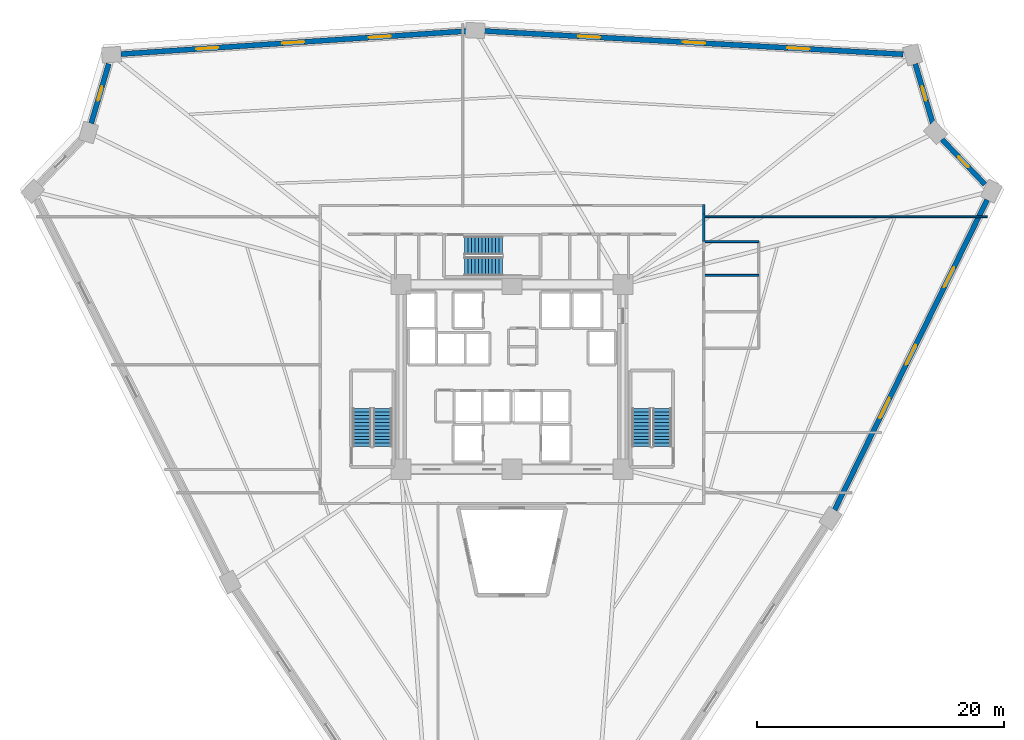
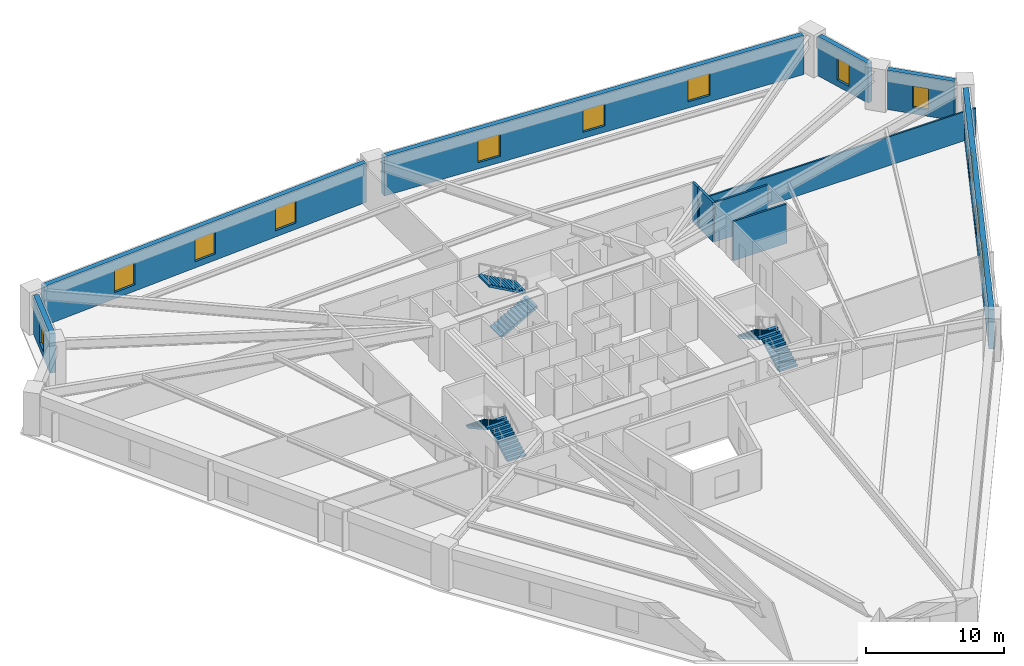
# One storey, part 7 of 8: 12 windows, 11 walls, 6 stair flights, 12 openings, 3 elements without a shape of their own.
"""IFC4 building model written with IfcOpenShell, lengths in metres."""

from ifc_helpers import new_model, si_unit, direction, frame, frame_2d, origin, place, context, subcontext, project, spatial, polyline, rectangle, outline, extrude, source, transform, mapped, material, layer, layer_set, type_object, element, fill, aggregate, save


model = new_model("IFC4")

# Units and contexts
model_context = context("Model", 3, precision=1e-05, world=origin(), true_north=direction((0.0, 1.0)))
body_context = subcontext(model_context, "Body", "Model", "MODEL_VIEW")
ifc_project = project(units=[si_unit("LENGTHUNIT", "METRE"), si_unit("AREAUNIT", "SQUARE_METRE"), si_unit("VOLUMEUNIT", "CUBIC_METRE"), si_unit("PLANEANGLEUNIT", "RADIAN"), si_unit("MASSUNIT", "GRAM", prefix="KILO")], contexts=[model_context])

# Site, building, storey
site_placement = place(None, origin())
site = spatial("IfcSite", under=ifc_project, at=site_placement, CompositionType="ELEMENT")
building_placement = place(site_placement, origin())
building = spatial("IfcBuilding", under=site, at=building_placement, Name="Liaohun Quay Tower", CompositionType="ELEMENT")
storey_placement = place(building_placement, frame((0.0, 0.0, 43.5)))
storey = spatial("IfcBuildingStorey", under=building, at=storey_placement, Name="L11", CompositionType="ELEMENT", Elevation=43.5)

# Wall, openings, windows
ifc_material_1 = material(Name="Precast concrete C50 insulated sandwich", Category="concrete")
ifc_layer_1 = layer(ifc_material_1, 0.419921875, Name="Precast concrete C50 insulated sandwich", Category="concrete")
ifc_layer_set_1 = layer_set([ifc_layer_1], Name="Precast concrete C50 insulated sandwich")
wall_type_1 = type_object("IfcWallType", Name="WAL-EXT-Z12", PredefinedType="SOLIDWALL", material=ifc_layer_set_1)
wall_1_placement = place(storey_placement, frame((86.172119140625, 43.2099609375, 0.0), z_axis=(0.0, 0.0, 1.0), x_axis=(0.441367208162, 0.897326577985, 0.0)))
wall_1 = element("IfcWall", 1, at=wall_1_placement, inside=storey, type_object=wall_type_1, Name="L11 Brutalist Precast Pier Wall 03", PredefinedType="SOLIDWALL", context=body_context, shape_type="SweptSolid", body=[
    extrude(rectangle(XDim=28.057861328125, YDim=0.419921875, at=frame_2d((14.02880859375, 0.0))), origin(), (0.0, 0.0, 1.0), 3.469970703125),
])
shared_shape_1 = source(origin(), body_context, "Body", "SweptSolid", [
    extrude(rectangle(XDim=1.800048828125, YDim=1.949951171875, at=frame_2d((0.89990234375, 0.97509765625))), frame((0.0, 0.219970703125, 0.0), z_axis=(0.0, -1.0, 0.0), x_axis=(1.0, 0.0, 0.0)), (0.0, 0.0, 1.0), 0.43994140625),
])
opening_1_placement = place(wall_1_placement, frame((8.31396484375, 0.0, 0.550048828125)))
opening_1 = element("IfcOpeningElement", 2, at=opening_1_placement, cuts=wall_1, Name="Opening W01", PredefinedType="OPENING", context=body_context, shape_type="MappedRepresentation", body=[
    mapped(shared_shape_1, transform((0.0, 0.0, 0.0), x_axis=(1.0, 0.0, 0.0), y_axis=(0.0, 1.0, 0.0), z_axis=(0.0, 0.0, 1.0), scale=1.0)),
])
opening_2_placement = place(wall_1_placement, frame((13.12890625, 0.0, 0.550048828125)))
opening_2 = element("IfcOpeningElement", 3, at=opening_2_placement, cuts=wall_1, Name="Opening W01", PredefinedType="OPENING", context=body_context, shape_type="MappedRepresentation", body=[
    mapped(shared_shape_1, transform((0.0, 0.0, 0.0), x_axis=(1.0, 0.0, 0.0), y_axis=(0.0, 1.0, 0.0), z_axis=(0.0, 0.0, 1.0), scale=1.0)),
])
opening_3_placement = place(wall_1_placement, frame((20.14306640625, 0.0, 0.550048828125)))
opening_3 = element("IfcOpeningElement", 4, at=opening_3_placement, cuts=wall_1, Name="Opening W01", PredefinedType="OPENING", context=body_context, shape_type="MappedRepresentation", body=[
    mapped(shared_shape_1, transform((0.0, 0.0, 0.0), x_axis=(1.0, 0.0, 0.0), y_axis=(0.0, 1.0, 0.0), z_axis=(0.0, 0.0, 1.0), scale=1.0)),
])
ifc_material_2 = material(Name="Triple Low-E argon glazing in thermally broken aluminium", Category="aluminium")
window_type_1 = type_object("IfcWindowType", Name="WIN-PUN-Z1", PartitioningType="DOUBLE_PANEL_VERTICAL", PredefinedType="WINDOW", material=ifc_material_2)
shared_shape_2 = source(origin(), body_context, "Body", "SweptSolid", [
    extrude(rectangle(XDim=1.800048828125, YDim=1.949951171875, at=frame_2d((0.89990234375, 0.97509765625))), frame((0.0, 0.030029296875, 0.0), z_axis=(0.0, -1.0, 0.0), x_axis=(1.0, 0.0, 0.0)), (0.0, 0.0, 1.0), 0.06005859375),
])
window_1_placement = place(opening_1_placement, origin())
window_1 = element("IfcWindow", 5, at=window_1_placement, inside=storey, type_object=window_type_1, Name="L11 Recessed Cold-Climate Punched Window 03-1", OverallHeight=1.949951171875, OverallWidth=1.800048828125, PartitioningType="DOUBLE_PANEL_VERTICAL", PredefinedType="WINDOW", context=body_context, shape_type="MappedRepresentation", body=[
    mapped(shared_shape_2, transform((0.0, 0.0, 0.0), x_axis=(1.0, 0.0, 0.0), y_axis=(0.0, 1.0, 0.0), z_axis=(0.0, 0.0, 1.0), scale=1.0)),
])
fill(opening_1, window_1)
window_2_placement = place(opening_2_placement, origin())
window_2 = element("IfcWindow", 6, at=window_2_placement, inside=storey, type_object=window_type_1, Name="L11 Recessed Cold-Climate Punched Window 03-2", OverallHeight=1.949951171875, OverallWidth=1.800048828125, PartitioningType="DOUBLE_PANEL_VERTICAL", PredefinedType="WINDOW", context=body_context, shape_type="MappedRepresentation", body=[
    mapped(shared_shape_2, transform((0.0, 0.0, 0.0), x_axis=(1.0, 0.0, 0.0), y_axis=(0.0, 1.0, 0.0), z_axis=(0.0, 0.0, 1.0), scale=1.0)),
])
fill(opening_2, window_2)
window_3_placement = place(opening_3_placement, origin())
window_3 = element("IfcWindow", 7, at=window_3_placement, inside=storey, type_object=window_type_1, Name="L11 Recessed Cold-Climate Punched Window 03-3", OverallHeight=1.949951171875, OverallWidth=1.800048828125, PartitioningType="DOUBLE_PANEL_VERTICAL", PredefinedType="WINDOW", context=body_context, shape_type="MappedRepresentation", body=[
    mapped(shared_shape_2, transform((0.0, 0.0, 0.0), x_axis=(1.0, 0.0, 0.0), y_axis=(0.0, 1.0, 0.0), z_axis=(0.0, 0.0, 1.0), scale=1.0)),
])
fill(opening_3, window_3)

# Wall, opening, window
wall_2_placement = place(storey_placement, frame((98.366943359375, 69.626953125, 0.0), z_axis=(0.0, 0.0, 1.0), x_axis=(-0.689358039111, 0.724420798923, 0.0)))
wall_2 = element("IfcWall", 8, at=wall_2_placement, inside=storey, type_object=wall_type_1, Name="L11 Brutalist Precast Pier Wall 04", PredefinedType="SOLIDWALL", context=body_context, shape_type="SweptSolid", body=[
    extrude(rectangle(XDim=5.048095703125, YDim=0.419921875, at=frame_2d((2.52392578125, 0.0))), origin(), (0.0, 0.0, 1.0), 3.469970703125),
])
shared_shape_3 = source(origin(), body_context, "Body", "SweptSolid", [
    extrude(rectangle(XDim=1.199951171875, YDim=1.89990234375, at=frame_2d((0.60009765625, 0.949951171875))), frame((0.0, 0.219970703125, 0.0), z_axis=(0.0, -1.0, 0.0), x_axis=(1.0, 0.0, 0.0)), (0.0, 0.0, 1.0), 0.43994140625),
])
opening_4_placement = place(wall_2_placement, frame((1.924072265625, 0.0, 0.550048828125)))
opening_4 = element("IfcOpeningElement", 9, at=opening_4_placement, cuts=wall_2, Name="Opening W05", PredefinedType="OPENING", context=body_context, shape_type="MappedRepresentation", body=[
    mapped(shared_shape_3, transform((0.0, 0.0, 0.0), x_axis=(1.0, 0.0, 0.0), y_axis=(0.0, 1.0, 0.0), z_axis=(0.0, 0.0, 1.0), scale=1.0)),
])
ifc_material_3 = material(Name="Triple Low-E corner notch glazing", Category="glass")
window_type_2 = type_object("IfcWindowType", Name="WIN-NOTCH", PartitioningType="SINGLE_PANEL", PredefinedType="WINDOW", material=ifc_material_3)
shared_shape_4 = source(origin(), body_context, "Body", "SweptSolid", [
    extrude(rectangle(XDim=1.199951171875, YDim=1.89990234375, at=frame_2d((0.60009765625, 0.949951171875))), frame((0.0, 0.030029296875, 0.0), z_axis=(0.0, -1.0, 0.0), x_axis=(1.0, 0.0, 0.0)), (0.0, 0.0, 1.0), 0.06005859375),
])
window_4_placement = place(opening_4_placement, origin())
window_4 = element("IfcWindow", 10, at=window_4_placement, inside=storey, type_object=window_type_2, Name="L11 Corner Notch Window W05-04", OverallHeight=1.89990234375, OverallWidth=1.199951171875, PartitioningType="SINGLE_PANEL", PredefinedType="WINDOW", context=body_context, shape_type="MappedRepresentation", body=[
    mapped(shared_shape_4, transform((0.0, 0.0, 0.0), x_axis=(1.0, 0.0, 0.0), y_axis=(0.0, 1.0, 0.0), z_axis=(0.0, 0.0, 1.0), scale=1.0)),
])
fill(opening_4, window_4)

wall_3_placement = place(storey_placement, frame((94.14404296875, 74.572021484375, 0.0), z_axis=(0.0, 0.0, 1.0), x_axis=(-0.282945147244, 0.959136092351, 0.0)))
wall_3 = element("IfcWall", 11, at=wall_3_placement, inside=storey, type_object=wall_type_1, Name="L11 Brutalist Precast Pier Wall 05", PredefinedType="SOLIDWALL", context=body_context, shape_type="SweptSolid", body=[
    extrude(rectangle(XDim=5.0400390625, YDim=0.419921875, at=frame_2d((2.52001953125, 0.0))), origin(), (0.0, 0.0, 1.0), 3.469970703125),
])
opening_5_placement = place(wall_3_placement, frame((1.919921875, 0.0, 0.550048828125)))
opening_5 = element("IfcOpeningElement", 12, at=opening_5_placement, cuts=wall_3, Name="Opening W05", PredefinedType="OPENING", context=body_context, shape_type="MappedRepresentation", body=[
    mapped(shared_shape_3, transform((0.0, 0.0, 0.0), x_axis=(1.0, 0.0, 0.0), y_axis=(0.0, 1.0, 0.0), z_axis=(0.0, 0.0, 1.0), scale=1.0)),
])
window_5_placement = place(opening_5_placement, origin())
window_5 = element("IfcWindow", 13, at=window_5_placement, inside=storey, type_object=window_type_2, Name="L11 Corner Notch Window W05-05", OverallHeight=1.89990234375, OverallWidth=1.199951171875, PartitioningType="SINGLE_PANEL", PredefinedType="WINDOW", context=body_context, shape_type="MappedRepresentation", body=[
    mapped(shared_shape_4, transform((0.0, 0.0, 0.0), x_axis=(1.0, 0.0, 0.0), y_axis=(0.0, 1.0, 0.0), z_axis=(0.0, 0.0, 1.0), scale=1.0)),
])
fill(opening_5, window_5)

# Wall, openings, windows
wall_4_placement = place(storey_placement, frame((91.738037109375, 80.181884765625, 0.0), z_axis=(0.0, 0.0, 1.0), x_axis=(-0.998458762228, 0.055498649812, 0.0)))
wall_4 = element("IfcWall", 14, at=wall_4_placement, inside=storey, type_object=wall_type_1, Name="L11 Brutalist Precast Pier Wall 06", PredefinedType="SOLIDWALL", context=body_context, shape_type="SweptSolid", body=[
    extrude(rectangle(XDim=34.004638671875, YDim=0.419921875, at=frame_2d((17.00244140625, 0.0))), origin(), (0.0, 0.0, 1.0), 3.469970703125),
])
opening_6_placement = place(wall_4_placement, frame((7.60107421875, 0.0, 0.550048828125)))
opening_6 = element("IfcOpeningElement", 15, at=opening_6_placement, cuts=wall_4, Name="Opening W01", PredefinedType="OPENING", context=body_context, shape_type="MappedRepresentation", body=[
    mapped(shared_shape_1, transform((0.0, 0.0, 0.0), x_axis=(1.0, 0.0, 0.0), y_axis=(0.0, 1.0, 0.0), z_axis=(0.0, 0.0, 1.0), scale=1.0)),
])
opening_7_placement = place(wall_4_placement, frame((16.10205078125, 0.0, 0.550048828125)))
opening_7 = element("IfcOpeningElement", 16, at=opening_7_placement, cuts=wall_4, Name="Opening W01", PredefinedType="OPENING", context=body_context, shape_type="MappedRepresentation", body=[
    mapped(shared_shape_1, transform((0.0, 0.0, 0.0), x_axis=(1.0, 0.0, 0.0), y_axis=(0.0, 1.0, 0.0), z_axis=(0.0, 0.0, 1.0), scale=1.0)),
])
opening_8_placement = place(wall_4_placement, frame((24.60302734375, 0.0, 0.550048828125)))
opening_8 = element("IfcOpeningElement", 17, at=opening_8_placement, cuts=wall_4, Name="Opening W01", PredefinedType="OPENING", context=body_context, shape_type="MappedRepresentation", body=[
    mapped(shared_shape_1, transform((0.0, 0.0, 0.0), x_axis=(1.0, 0.0, 0.0), y_axis=(0.0, 1.0, 0.0), z_axis=(0.0, 0.0, 1.0), scale=1.0)),
])
window_6_placement = place(opening_6_placement, origin())
window_6 = element("IfcWindow", 18, at=window_6_placement, inside=storey, type_object=window_type_1, Name="L11 Recessed Cold-Climate Punched Window 06-1", OverallHeight=1.949951171875, OverallWidth=1.800048828125, PartitioningType="DOUBLE_PANEL_VERTICAL", PredefinedType="WINDOW", context=body_context, shape_type="MappedRepresentation", body=[
    mapped(shared_shape_2, transform((0.0, 0.0, 0.0), x_axis=(1.0, 0.0, 0.0), y_axis=(0.0, 1.0, 0.0), z_axis=(0.0, 0.0, 1.0), scale=1.0)),
])
fill(opening_6, window_6)
window_7_placement = place(opening_7_placement, origin())
window_7 = element("IfcWindow", 19, at=window_7_placement, inside=storey, type_object=window_type_1, Name="L11 Recessed Cold-Climate Punched Window 06-2", OverallHeight=1.949951171875, OverallWidth=1.800048828125, PartitioningType="DOUBLE_PANEL_VERTICAL", PredefinedType="WINDOW", context=body_context, shape_type="MappedRepresentation", body=[
    mapped(shared_shape_2, transform((0.0, 0.0, 0.0), x_axis=(1.0, 0.0, 0.0), y_axis=(0.0, 1.0, 0.0), z_axis=(0.0, 0.0, 1.0), scale=1.0)),
])
fill(opening_7, window_7)
window_8_placement = place(opening_8_placement, origin())
window_8 = element("IfcWindow", 20, at=window_8_placement, inside=storey, type_object=window_type_1, Name="L11 Recessed Cold-Climate Punched Window 06-3", OverallHeight=1.949951171875, OverallWidth=1.800048828125, PartitioningType="DOUBLE_PANEL_VERTICAL", PredefinedType="WINDOW", context=body_context, shape_type="MappedRepresentation", body=[
    mapped(shared_shape_2, transform((0.0, 0.0, 0.0), x_axis=(1.0, 0.0, 0.0), y_axis=(0.0, 1.0, 0.0), z_axis=(0.0, 0.0, 1.0), scale=1.0)),
])
fill(opening_8, window_8)

wall_5_placement = place(storey_placement, frame((56.259033203125, 82.06005859375, 0.0), z_axis=(0.0, 0.0, 1.0), x_axis=(-0.997793120451, -0.066399463707, 0.0)))
wall_5 = element("IfcWall", 21, at=wall_5_placement, inside=storey, type_object=wall_type_1, Name="L11 Brutalist Precast Pier Wall 07", PredefinedType="SOLIDWALL", context=body_context, shape_type="SweptSolid", body=[
    extrude(rectangle(XDim=28.05810546875, YDim=0.419921875, at=frame_2d((14.029052734375, 0.0))), origin(), (0.0, 0.0, 1.0), 3.469970703125),
])
opening_9_placement = place(wall_5_placement, frame((6.114013671875, 0.0, 0.550048828125)))
opening_9 = element("IfcOpeningElement", 22, at=opening_9_placement, cuts=wall_5, Name="Opening W01", PredefinedType="OPENING", context=body_context, shape_type="MappedRepresentation", body=[
    mapped(shared_shape_1, transform((0.0, 0.0, 0.0), x_axis=(1.0, 0.0, 0.0), y_axis=(0.0, 1.0, 0.0), z_axis=(0.0, 0.0, 1.0), scale=1.0)),
])
opening_10_placement = place(wall_5_placement, frame((13.12890625, 0.0, 0.550048828125)))
opening_10 = element("IfcOpeningElement", 23, at=opening_10_placement, cuts=wall_5, Name="Opening W01", PredefinedType="OPENING", context=body_context, shape_type="MappedRepresentation", body=[
    mapped(shared_shape_1, transform((0.0, 0.0, 0.0), x_axis=(1.0, 0.0, 0.0), y_axis=(0.0, 1.0, 0.0), z_axis=(0.0, 0.0, 1.0), scale=1.0)),
])
opening_11_placement = place(wall_5_placement, frame((20.14306640625, 0.0, 0.550048828125)))
opening_11 = element("IfcOpeningElement", 24, at=opening_11_placement, cuts=wall_5, Name="Opening W01", PredefinedType="OPENING", context=body_context, shape_type="MappedRepresentation", body=[
    mapped(shared_shape_1, transform((0.0, 0.0, 0.0), x_axis=(1.0, 0.0, 0.0), y_axis=(0.0, 1.0, 0.0), z_axis=(0.0, 0.0, 1.0), scale=1.0)),
])
window_9_placement = place(opening_9_placement, origin())
window_9 = element("IfcWindow", 25, at=window_9_placement, inside=storey, type_object=window_type_1, Name="L11 Recessed Cold-Climate Punched Window 07-1", OverallHeight=1.949951171875, OverallWidth=1.800048828125, PartitioningType="DOUBLE_PANEL_VERTICAL", PredefinedType="WINDOW", context=body_context, shape_type="MappedRepresentation", body=[
    mapped(shared_shape_2, transform((0.0, 0.0, 0.0), x_axis=(1.0, 0.0, 0.0), y_axis=(0.0, 1.0, 0.0), z_axis=(0.0, 0.0, 1.0), scale=1.0)),
])
fill(opening_9, window_9)
window_10_placement = place(opening_10_placement, origin())
window_10 = element("IfcWindow", 26, at=window_10_placement, inside=storey, type_object=window_type_1, Name="L11 Recessed Cold-Climate Punched Window 07-2", OverallHeight=1.949951171875, OverallWidth=1.800048828125, PartitioningType="DOUBLE_PANEL_VERTICAL", PredefinedType="WINDOW", context=body_context, shape_type="MappedRepresentation", body=[
    mapped(shared_shape_2, transform((0.0, 0.0, 0.0), x_axis=(1.0, 0.0, 0.0), y_axis=(0.0, 1.0, 0.0), z_axis=(0.0, 0.0, 1.0), scale=1.0)),
])
fill(opening_10, window_10)
window_11_placement = place(opening_11_placement, origin())
window_11 = element("IfcWindow", 27, at=window_11_placement, inside=storey, type_object=window_type_1, Name="L11 Recessed Cold-Climate Punched Window 07-3", OverallHeight=1.949951171875, OverallWidth=1.800048828125, PartitioningType="DOUBLE_PANEL_VERTICAL", PredefinedType="WINDOW", context=body_context, shape_type="MappedRepresentation", body=[
    mapped(shared_shape_2, transform((0.0, 0.0, 0.0), x_axis=(1.0, 0.0, 0.0), y_axis=(0.0, 1.0, 0.0), z_axis=(0.0, 0.0, 1.0), scale=1.0)),
])
fill(opening_11, window_11)

# Wall, opening, window
wall_6_placement = place(storey_placement, frame((27.283935546875, 79.412109375, 0.0), z_axis=(0.0, 0.0, 1.0), x_axis=(-0.282972963709, -0.959127886056, 0.0)))
wall_6 = element("IfcWall", 28, at=wall_6_placement, inside=storey, type_object=wall_type_1, Name="L11 Brutalist Precast Pier Wall 08", PredefinedType="SOLIDWALL", context=body_context, shape_type="SweptSolid", body=[
    extrude(rectangle(XDim=5.04638671875, YDim=0.419921875, at=frame_2d((2.523193359375, 0.0))), origin(), (0.0, 0.0, 1.0), 3.469970703125),
])
opening_12_placement = place(wall_6_placement, frame((1.923095703125, 0.0, 0.550048828125)))
opening_12 = element("IfcOpeningElement", 29, at=opening_12_placement, cuts=wall_6, Name="Opening W05", PredefinedType="OPENING", context=body_context, shape_type="MappedRepresentation", body=[
    mapped(shared_shape_3, transform((0.0, 0.0, 0.0), x_axis=(1.0, 0.0, 0.0), y_axis=(0.0, 1.0, 0.0), z_axis=(0.0, 0.0, 1.0), scale=1.0)),
])
window_12_placement = place(opening_12_placement, origin())
window_12 = element("IfcWindow", 30, at=window_12_placement, inside=storey, type_object=window_type_2, Name="L11 Corner Notch Window W05-08", OverallHeight=1.89990234375, OverallWidth=1.199951171875, PartitioningType="SINGLE_PANEL", PredefinedType="WINDOW", context=body_context, shape_type="MappedRepresentation", body=[
    mapped(shared_shape_4, transform((0.0, 0.0, 0.0), x_axis=(1.0, 0.0, 0.0), y_axis=(0.0, 1.0, 0.0), z_axis=(0.0, 0.0, 1.0), scale=1.0)),
])
fill(opening_12, window_12)

# Walls
ifc_material_4 = material(Name="Autoclaved aerated concrete blockwork", Category="masonry")
ifc_layer_2 = layer(ifc_material_4, 0.179931640625, Name="Autoclaved aerated concrete blockwork", Category="masonry")
ifc_layer_set_2 = layer_set([ifc_layer_2], Name="Autoclaved aerated concrete blockwork")
wall_type_2 = type_object("IfcWallType", Name="WAL-PRT-COR", PredefinedType="PARTITIONING", material=ifc_layer_set_2)
wall_7_placement = place(storey_placement, frame((75.56005859375, 67.215087890625, 0.0), z_axis=(0.0, 0.0, 1.0), x_axis=(0.0, -1.0, 0.0)))
element("IfcWall", 31, at=wall_7_placement, inside=storey, type_object=wall_type_2, Name="L11 Interior Partition Wall 038", PredefinedType="PARTITIONING", context=body_context, shape_type="SweptSolid", body=[
    extrude(rectangle(XDim=2.235107421875, YDim=0.179931640625, at=frame_2d((1.11767578125, 0.0))), origin(), (0.0, 0.0, 1.0), 3.469970703125),
])
wall_8_placement = place(storey_placement, frame((75.56005859375, 67.97998046875, 0.0), z_axis=(0.0, 0.0, 1.0), x_axis=(0.0, -1.0, 0.0)))
element("IfcWall", 32, at=wall_8_placement, inside=storey, type_object=wall_type_2, Name="L11 Interior Partition Wall 039", PredefinedType="PARTITIONING", context=body_context, shape_type="SweptSolid", body=[
    extrude(rectangle(XDim=0.764892578125, YDim=0.179931640625, at=frame_2d((0.38232421875, 0.0))), origin(), (0.0, 0.0, 1.0), 3.469970703125),
])
ifc_material_5 = material(Name="Gypsum board on twin steel studs", Category="steel")
ifc_layer_3 = layer(ifc_material_5, 0.139892578125, Name="Gypsum board on twin steel studs", Category="steel")
ifc_layer_set_3 = layer_set([ifc_layer_3], Name="Gypsum board on twin steel studs")
wall_type_3 = type_object("IfcWallType", Name="WAL-PRT-OFF", PredefinedType="PARTITIONING", material=ifc_layer_set_3)
wall_9_placement = place(storey_placement, frame((75.4599609375, 67.0, 0.0), z_axis=(0.0, 0.0, 1.0), x_axis=(1.0, 0.0, 0.0)))
element("IfcWall", 33, at=wall_9_placement, inside=storey, type_object=wall_type_3, Name="L11 Interior Partition Wall 049", PredefinedType="PARTITIONING", context=body_context, shape_type="SweptSolid", body=[
    extrude(rectangle(XDim=23.115966796875, YDim=0.139892578125, at=frame_2d((11.55810546875, 0.0))), origin(), (0.0, 0.0, 1.0), 2.554931640625),
])
ifc_material_6 = material(Name="Moisture-resistant masonry blockwork", Category="masonry")
ifc_layer_4 = layer(ifc_material_6, 0.159912109375, Name="Moisture-resistant masonry blockwork", Category="masonry")
ifc_layer_set_4 = layer_set([ifc_layer_4], Name="Moisture-resistant masonry blockwork")
wall_type_4 = type_object("IfcWallType", Name="WAL-PRT-WET", PredefinedType="PARTITIONING", material=ifc_layer_set_4)
for number, where, z_axis, x_axis, name in (
    (34, (75.56005859375, 62.239990234375, 0.0), (0.0, 0.0, 1.0), (1.0, 0.0, 0.0), "L11 Interior Partition Wall 031"),
    (35, (75.56005859375, 64.97998046875, 0.0), (0.0, 0.0, 1.0), (1.0, 0.0, 0.0), "L11 Interior Partition Wall 032"),
):
    element("IfcWall", number, at=place(storey_placement, frame(where, z_axis=z_axis, x_axis=x_axis)), inside=storey, type_object=wall_type_4, Name=name, PredefinedType="PARTITIONING", context=body_context, shape_type="SweptSolid", body=[
        extrude(rectangle(XDim=4.4599609375, YDim=0.159912109375, at=frame_2d((2.22998046875, 0.0))), origin(), (0.0, 0.0, 1.0), 3.469970703125),
    ])

# Stair, stair flights
ifc_material_7 = material(Name="Concrete C45", Category="concrete")
stair_type = type_object("IfcStairType", Name="STR-CORE-OFF", PredefinedType="HALF_TURN_STAIR", material=ifc_material_7)
stair_1_placement = place(storey_placement, origin())
stair_1 = element("IfcStair", 36, at=stair_1_placement, inside=storey, type_object=stair_type, Name="L11 Smokeproof Core Exit Stair ST-1", PredefinedType="HALF_TURN_STAIR")
stair_flight_type = type_object("IfcStairFlightType", Name="FLT-CORE-155", PredefinedType="STRAIGHT", material=ifc_material_7)
stair_flight_1_placement = place(storey_placement, frame((49.5048828125, 48.35009765625, 0.0), z_axis=(0.0, 0.0, 1.0), x_axis=(0.0, 1.0, 0.0)))
stair_flight_1 = element("IfcStairFlight", 37, at=stair_flight_1_placement, type_object=stair_flight_type, Name="ST-1 flight 1", NumberOfRisers=12, NumberOfTreads=11, PredefinedType="STRAIGHT", RiserHeight=0.15625, TreadLength=0.28, context=body_context, shape_type="SweptSolid", body=[
    extrude(outline(polyline([(0.0, 0.0), (0.0, 0.15625), (0.280029296875, 0.15625), (0.280029296875, 0.3125), (0.56005859375, 0.3125), (0.56005859375, 0.46875), (0.840087890625, 0.46875), (0.840087890625, 0.625), (1.1201171875, 0.625), (1.1201171875, 0.78125), (1.39990234375, 0.78125), (1.39990234375, 0.9375), (1.679931640625, 0.9375), (1.679931640625, 1.09375), (1.9599609375, 1.09375), (1.9599609375, 1.25), (2.239990234375, 1.25), (2.239990234375, 1.40625), (2.52001953125, 1.40625), (2.52001953125, 1.5625), (2.800048828125, 1.5625), (2.800048828125, 1.71875), (3.080078125, 1.71875), (3.080078125, 1.875), (3.080078125, 1.547119140625), (0.3076171875, 0.0), (0.0, 0.0)])), frame((0.0, 0.77490234375, 0.0), z_axis=(0.0, -1.0, 0.0), x_axis=(1.0, 0.0, 0.0)), (0.0, 0.0, 1.0), 1.550048828125),
])
stair_flight_2_placement = place(storey_placement, frame((47.81494140625, 51.429931640625, 1.875), z_axis=(0.0, 0.0, 1.0), x_axis=(0.0, -1.0, 0.0)))
stair_flight_2 = element("IfcStairFlight", 38, at=stair_flight_2_placement, type_object=stair_flight_type, Name="ST-1 flight 2", NumberOfRisers=12, NumberOfTreads=11, PredefinedType="STRAIGHT", RiserHeight=0.15625, TreadLength=0.28, context=body_context, shape_type="SweptSolid", body=[
    extrude(outline(polyline([(0.0, 0.0), (0.0, 0.15625), (0.280029296875, 0.15625), (0.280029296875, 0.3125), (0.56005859375, 0.3125), (0.56005859375, 0.46875), (0.840087890625, 0.46875), (0.840087890625, 0.625), (1.1201171875, 0.625), (1.1201171875, 0.78125), (1.39990234375, 0.78125), (1.39990234375, 0.9375), (1.679931640625, 0.9375), (1.679931640625, 1.09375), (1.9599609375, 1.09375), (1.9599609375, 1.25), (2.239990234375, 1.25), (2.239990234375, 1.40625), (2.52001953125, 1.40625), (2.52001953125, 1.5625), (2.800048828125, 1.5625), (2.800048828125, 1.71875), (3.080078125, 1.71875), (3.080078125, 1.875), (3.080078125, 1.547119140625), (0.3076171875, 0.0), (0.0, 0.0)])), frame((0.0, 0.77490234375, 0.0), z_axis=(0.0, -1.0, 0.0), x_axis=(1.0, 0.0, 0.0)), (0.0, 0.0, 1.0), 1.550048828125),
])
aggregate(stair_1, [stair_flight_1, stair_flight_2])

stair_2_placement = place(storey_placement, origin())
stair_2 = element("IfcStair", 39, at=stair_2_placement, inside=storey, type_object=stair_type, Name="L11 Smokeproof Core Exit Stair ST-2", PredefinedType="HALF_TURN_STAIR")
stair_flight_3_placement = place(storey_placement, frame((72.18505859375, 48.35009765625, 0.0), z_axis=(0.0, 0.0, 1.0), x_axis=(0.0, 1.0, 0.0)))
stair_flight_3 = element("IfcStairFlight", 40, at=stair_flight_3_placement, type_object=stair_flight_type, Name="ST-2 flight 1", NumberOfRisers=12, NumberOfTreads=11, PredefinedType="STRAIGHT", RiserHeight=0.15625, TreadLength=0.28, context=body_context, shape_type="SweptSolid", body=[
    extrude(outline(polyline([(0.0, 0.0), (0.0, 0.15625), (0.280029296875, 0.15625), (0.280029296875, 0.3125), (0.56005859375, 0.3125), (0.56005859375, 0.46875), (0.840087890625, 0.46875), (0.840087890625, 0.625), (1.1201171875, 0.625), (1.1201171875, 0.78125), (1.39990234375, 0.78125), (1.39990234375, 0.9375), (1.679931640625, 0.9375), (1.679931640625, 1.09375), (1.9599609375, 1.09375), (1.9599609375, 1.25), (2.239990234375, 1.25), (2.239990234375, 1.40625), (2.52001953125, 1.40625), (2.52001953125, 1.5625), (2.800048828125, 1.5625), (2.800048828125, 1.71875), (3.080078125, 1.71875), (3.080078125, 1.875), (3.080078125, 1.547119140625), (0.3076171875, 0.0), (0.0, 0.0)])), frame((0.0, 0.77490234375, 0.0), z_axis=(0.0, -1.0, 0.0), x_axis=(1.0, 0.0, 0.0)), (0.0, 0.0, 1.0), 1.550048828125),
])
stair_flight_4_placement = place(storey_placement, frame((70.4951171875, 51.429931640625, 1.875), z_axis=(0.0, 0.0, 1.0), x_axis=(0.0, -1.0, 0.0)))
stair_flight_4 = element("IfcStairFlight", 41, at=stair_flight_4_placement, type_object=stair_flight_type, Name="ST-2 flight 2", NumberOfRisers=12, NumberOfTreads=11, PredefinedType="STRAIGHT", RiserHeight=0.15625, TreadLength=0.28, context=body_context, shape_type="SweptSolid", body=[
    extrude(outline(polyline([(0.0, 0.0), (0.0, 0.15625), (0.280029296875, 0.15625), (0.280029296875, 0.3125), (0.56005859375, 0.3125), (0.56005859375, 0.46875), (0.840087890625, 0.46875), (0.840087890625, 0.625), (1.1201171875, 0.625), (1.1201171875, 0.78125), (1.39990234375, 0.78125), (1.39990234375, 0.9375), (1.679931640625, 0.9375), (1.679931640625, 1.09375), (1.9599609375, 1.09375), (1.9599609375, 1.25), (2.239990234375, 1.25), (2.239990234375, 1.40625), (2.52001953125, 1.40625), (2.52001953125, 1.5625), (2.800048828125, 1.5625), (2.800048828125, 1.71875), (3.080078125, 1.71875), (3.080078125, 1.875), (3.080078125, 1.547119140625), (0.3076171875, 0.0), (0.0, 0.0)])), frame((0.0, 0.77490234375, 0.0), z_axis=(0.0, -1.0, 0.0), x_axis=(1.0, 0.0, 0.0)), (0.0, 0.0, 1.0), 1.550048828125),
])
aggregate(stair_2, [stair_flight_3, stair_flight_4])

stair_3_placement = place(storey_placement, origin())
stair_3 = element("IfcStair", 42, at=stair_3_placement, inside=storey, type_object=stair_type, Name="L11 Smokeproof Core Exit Stair ST-3", PredefinedType="HALF_TURN_STAIR")
stair_flight_5_placement = place(storey_placement, frame((56.14990234375, 62.97509765625, 0.0), z_axis=(0.0, 0.0, 1.0), x_axis=(1.0, 0.0, 0.0)))
stair_flight_5 = element("IfcStairFlight", 43, at=stair_flight_5_placement, type_object=stair_flight_type, Name="ST-3 flight 1", NumberOfRisers=12, NumberOfTreads=11, PredefinedType="STRAIGHT", RiserHeight=0.15625, TreadLength=0.28, context=body_context, shape_type="SweptSolid", body=[
    extrude(outline(polyline([(0.0, 0.0), (0.0, 0.15625), (0.280029296875, 0.15625), (0.280029296875, 0.3125), (0.56005859375, 0.3125), (0.56005859375, 0.46875), (0.840087890625, 0.46875), (0.840087890625, 0.625), (1.1201171875, 0.625), (1.1201171875, 0.78125), (1.39990234375, 0.78125), (1.39990234375, 0.9375), (1.679931640625, 0.9375), (1.679931640625, 1.09375), (1.9599609375, 1.09375), (1.9599609375, 1.25), (2.239990234375, 1.25), (2.239990234375, 1.40625), (2.52001953125, 1.40625), (2.52001953125, 1.5625), (2.800048828125, 1.5625), (2.800048828125, 1.71875), (3.080078125, 1.71875), (3.080078125, 1.875), (3.080078125, 1.547119140625), (0.3076171875, 0.0), (0.0, 0.0)])), frame((0.0, 0.77490234375, 0.0), z_axis=(0.0, -1.0, 0.0), x_axis=(1.0, 0.0, 0.0)), (0.0, 0.0, 1.0), 1.550048828125),
])
stair_flight_6_placement = place(storey_placement, frame((59.22998046875, 64.6650390625, 1.875), z_axis=(0.0, 0.0, 1.0), x_axis=(-1.0, 0.0, 0.0)))
stair_flight_6 = element("IfcStairFlight", 44, at=stair_flight_6_placement, type_object=stair_flight_type, Name="ST-3 flight 2", NumberOfRisers=12, NumberOfTreads=11, PredefinedType="STRAIGHT", RiserHeight=0.15625, TreadLength=0.28, context=body_context, shape_type="SweptSolid", body=[
    extrude(outline(polyline([(0.0, 0.0), (0.0, 0.15625), (0.280029296875, 0.15625), (0.280029296875, 0.3125), (0.56005859375, 0.3125), (0.56005859375, 0.46875), (0.840087890625, 0.46875), (0.840087890625, 0.625), (1.1201171875, 0.625), (1.1201171875, 0.78125), (1.39990234375, 0.78125), (1.39990234375, 0.9375), (1.679931640625, 0.9375), (1.679931640625, 1.09375), (1.9599609375, 1.09375), (1.9599609375, 1.25), (2.239990234375, 1.25), (2.239990234375, 1.40625), (2.52001953125, 1.40625), (2.52001953125, 1.5625), (2.800048828125, 1.5625), (2.800048828125, 1.71875), (3.080078125, 1.71875), (3.080078125, 1.875), (3.080078125, 1.547119140625), (0.3076171875, 0.0), (0.0, 0.0)])), frame((0.0, 0.77490234375, 0.0), z_axis=(0.0, -1.0, 0.0), x_axis=(1.0, 0.0, 0.0)), (0.0, 0.0, 1.0), 1.550048828125),
])
aggregate(stair_3, [stair_flight_5, stair_flight_6])

save(model, "model.ifc")
